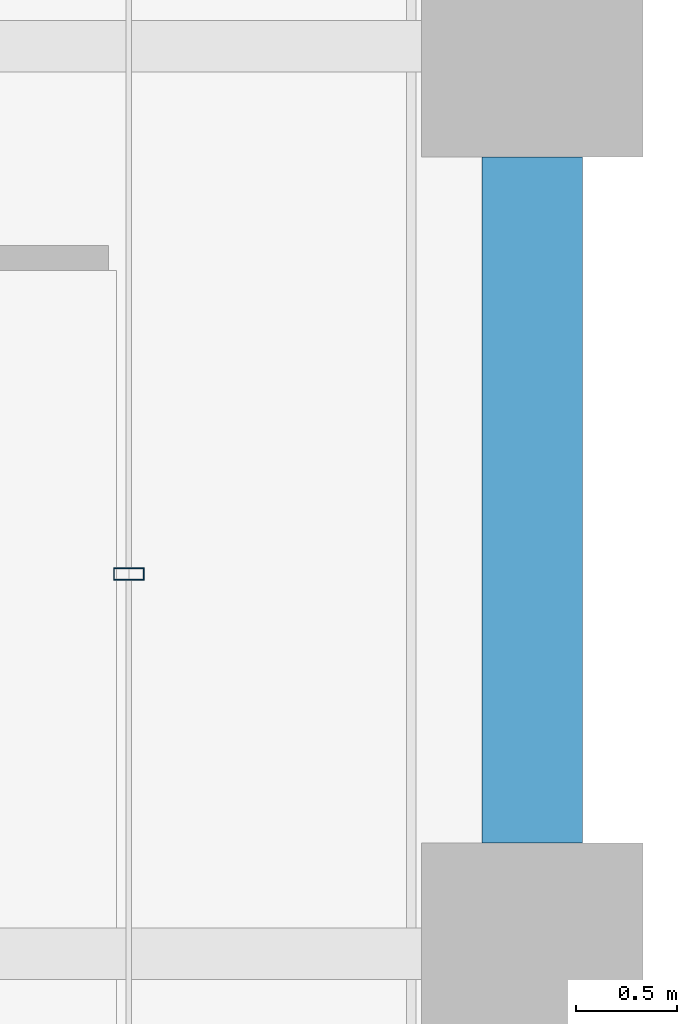
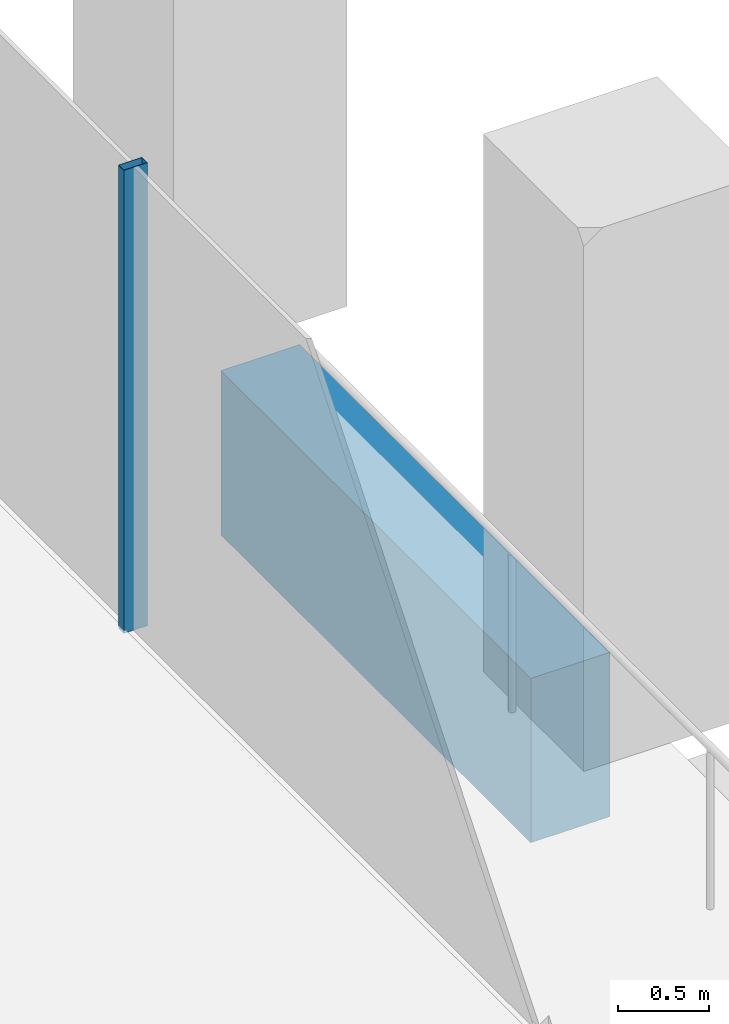
# One storey, part 20 of 54: 1 beam, 1 member, 1 element without a shape of its own.
"""IFC4 building model written with IfcOpenShell, lengths in metres."""

from ifc_helpers import new_model, si_unit, direction, frame, origin, origin_2d, place, context, subcontext, project, spatial, rectangle, hollow_rectangle, extrude, material, material_profile, profile_set, type_object, element, aggregate, save


model = new_model("IFC4")

# Units and contexts
model_context = context("Model", 3, precision=1e-05, world=origin(), true_north=direction((0.0, 1.0)))
body_context = subcontext(model_context, "Body", "Model", "MODEL_VIEW")
ifc_project = project(units=[si_unit("LENGTHUNIT", "METRE"), si_unit("AREAUNIT", "SQUARE_METRE"), si_unit("VOLUMEUNIT", "CUBIC_METRE"), si_unit("PLANEANGLEUNIT", "RADIAN"), si_unit("MASSUNIT", "GRAM", prefix="KILO")], contexts=[model_context])

# Site, building, storey
site_placement = place(None, origin())
site = spatial("IfcSite", under=ifc_project, at=site_placement, CompositionType="ELEMENT")
building_placement = place(site_placement, origin())
building = spatial("IfcBuilding", under=site, at=building_placement, Name="Altepetl Exchange Towers", CompositionType="ELEMENT")
storey_placement = place(building_placement, frame((0.0, 0.0, 58.199951171875)))
storey = spatial("IfcBuildingStorey", under=building, at=storey_placement, Name="L13", CompositionType="ELEMENT", Elevation=58.199951171875)

# Curtain wall, member
ifc_material_1 = material(Name="Aluminium 6063-T6 glazing", Category="aluminium")
curtain_wall_type = type_object("IfcCurtainWallType", Name="Loggia glazing system", PredefinedType="NOTDEFINED", material=ifc_material_1)
curtain_wall_placement = place(storey_placement, origin())
curtain_wall = element("IfcCurtainWall", 1, at=curtain_wall_placement, inside=storey, type_object=curtain_wall_type, Name="CW1 run", PredefinedType="NOTDEFINED")
ifc_material_2 = material(Name="Aluminium 6063-T6", Category="aluminium")
ifc_material_profile_1 = material_profile(ifc_material_2, hollow_rectangle(XDim=0.06005859375, YDim=0.14990234375, WallThickness=0.0029296875, at=origin_2d()), Name="Mullion 60x150 aluminium")
ifc_profile_set_1 = profile_set([ifc_material_profile_1], Name="Aluminium 6063-T6")
member_type = type_object("IfcMemberType", Name="Mullion 60x150 aluminium", PredefinedType="MULLION", material=ifc_profile_set_1)
member_placement = place(storey_placement, frame((70.0, 46.883056640625, 0.0), z_axis=(0.0, 0.0, 1.0), x_axis=(0.0, 1.0, 0.0)))
member = element("IfcMember", 2, at=member_placement, type_object=member_type, Name="MU1 mullion", PredefinedType="MULLION", context=body_context, shape_type="SweptSolid", body=[
    extrude(hollow_rectangle(XDim=0.06005859375, YDim=0.14990234375, WallThickness=0.0029296875, at=origin_2d()), origin(), (0.0, 0.0, 1.0), 3.10009765625),
])
aggregate(curtain_wall, [member])

# Beam
ifc_material_3 = material(Name="Concrete C50/60 precast with cantera amarilla facing", Category="concrete")
ifc_material_profile_2 = material_profile(ifc_material_3, rectangle(XDim=0.5, YDim=1.10009765625, at=origin_2d()), Name="500 x 1100")
ifc_profile_set_2 = profile_set([ifc_material_profile_2], Name="Concrete C50/60 precast with cantera amarilla facing")
beam_type = type_object("IfcBeamType", Name="Spandrel beam 500x1100 cantera amarilla", PredefinedType="SPANDREL", material=ifc_profile_set_2)
beam_placement = place(storey_placement, frame((72.0, 45.550048828125, -0.699951171875), z_axis=(0.0, 1.0, 0.0), x_axis=(-1.0, 0.0, 0.0)))
element("IfcBeam", 3, at=beam_placement, inside=storey, type_object=beam_type, Name="sp:A:L13:015", PredefinedType="SPANDREL", context=body_context, shape_type="SweptSolid", body=[
    extrude(rectangle(XDim=0.5, YDim=1.10009765625, at=origin_2d()), origin(), (0.0, 0.0, 1.0), 3.39990234375),
])

save(model, "model.ifc")
